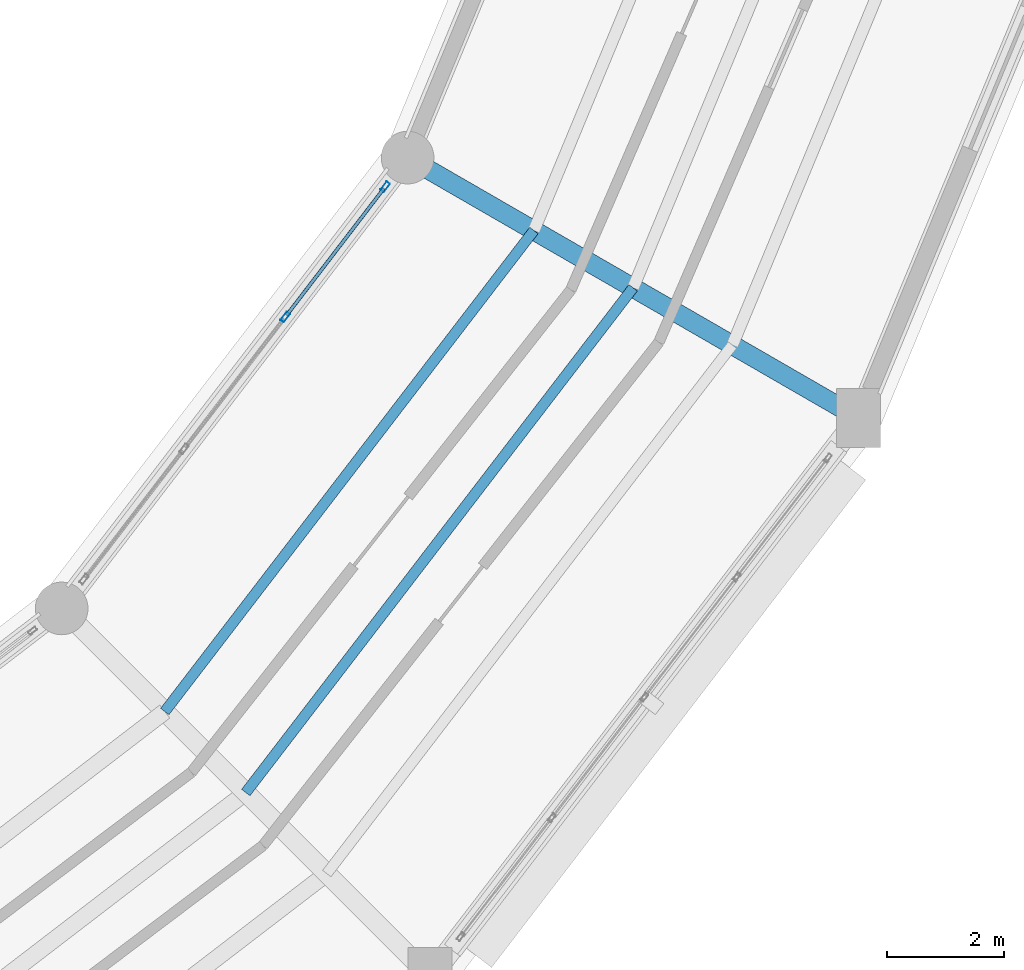
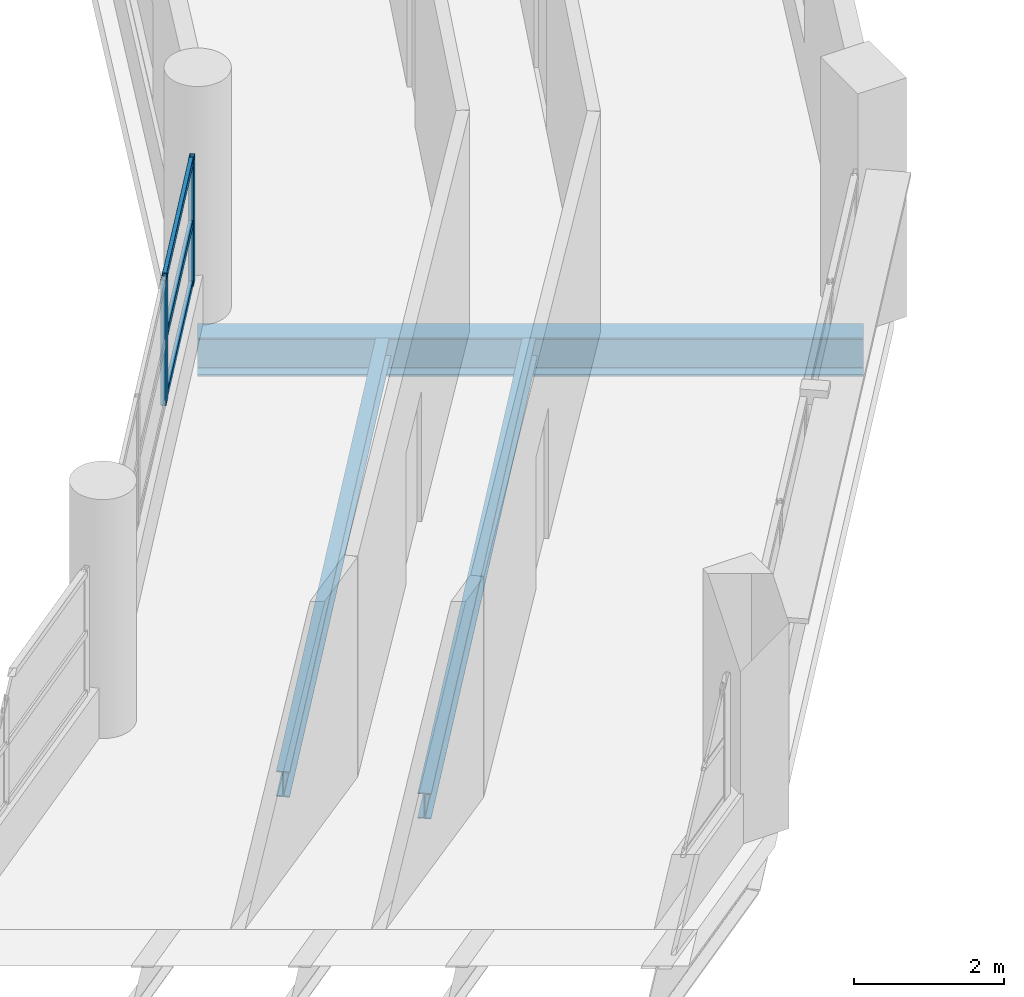
# One storey, part 51 of 108: 5 members, 3 beams, 1 element without a shape of its own.
"""IFC4 building model written with IfcOpenShell, lengths in metres."""

from ifc_helpers import new_model, si_unit, direction, frame, origin, origin_2d, place, context, subcontext, project, spatial, hollow_rectangle, i_section, extrude, material, layer, layer_set, material_profile, profile_set, type_object, element, aggregate, save


model = new_model("IFC4")

# Units and contexts
model_context = context("Model", 3, precision=1e-05, world=origin(), true_north=direction((0.0, 1.0)))
body_context = subcontext(model_context, "Body", "Model", "MODEL_VIEW")
ifc_project = project(units=[si_unit("LENGTHUNIT", "METRE"), si_unit("AREAUNIT", "SQUARE_METRE"), si_unit("VOLUMEUNIT", "CUBIC_METRE"), si_unit("PLANEANGLEUNIT", "RADIAN"), si_unit("MASSUNIT", "GRAM", prefix="KILO")], contexts=[model_context])

# Site, building, storey
site_placement = place(None, origin())
site = spatial("IfcSite", under=ifc_project, at=site_placement, CompositionType="ELEMENT")
building_placement = place(site_placement, origin())
building = spatial("IfcBuilding", under=site, at=building_placement, Name="Vespera Passage Community Centre", CompositionType="ELEMENT")
storey_placement = place(building_placement, frame((0.0, 0.0, 12.60009765625)))
storey = spatial("IfcBuildingStorey", under=building, at=storey_placement, Name="L03", CompositionType="ELEMENT", Elevation=12.60009765625)

# Beams
ifc_material_1 = material(Name="Steel ASTM A992 Grade 50", Category="steel")
ifc_material_profile_1 = material_profile(ifc_material_1, i_section(OverallWidth=0.32763671875, OverallDepth=0.62841796875, WebThickness=0.0166015625, FlangeThickness=0.027587890625, FilletRadius=0.0126953125, at=origin_2d()), Name="W24X146")
ifc_profile_set_1 = profile_set([ifc_material_profile_1], Name="Steel ASTM A992 Grade 50")
beam_type_1 = type_object("IfcBeamType", Name="BM-G-W24X146", PredefinedType="BEAM", material=ifc_profile_set_1)
beam_1_placement = place(storey_placement, frame((110.216064453125, 46.89990234375, -0.71435546875), z_axis=(0.866031643847, -0.499989191739, 0.0), x_axis=(0.499989191739, 0.866031643847, 0.0)))
element("IfcBeam", 1, at=beam_1_placement, inside=storey, type_object=beam_type_1, Name="V4 L03 Radial Girder 22", PredefinedType="BEAM", context=body_context, shape_type="SweptSolid", body=[
    extrude(i_section(OverallWidth=0.32763671875, OverallDepth=0.62841796875, WebThickness=0.0166015625, FlangeThickness=0.027587890625, FilletRadius=0.0126953125, at=origin_2d()), origin(), (0.0, 0.0, 1.0), 8.900146484375),
])
ifc_material_2 = material(Name="Steel ASTM A992 Grade 50", Category="steel")
ifc_material_profile_2 = material_profile(ifc_material_2, i_section(OverallWidth=0.180908203125, OverallDepth=0.417236328125, WebThickness=0.010986328125, FlangeThickness=0.018310546875, FilletRadius=0.01025390625, at=origin_2d()), Name="W16X57")
ifc_profile_set_2 = profile_set([ifc_material_profile_2], Name="Steel ASTM A992 Grade 50")
beam_type_2 = type_object("IfcBeamType", Name="BM-J-W16X57", PredefinedType="JOIST", material=ifc_profile_set_2)
beam_2_placement = place(storey_placement, frame((106.06640625, 37.43359375, -0.60888671875), z_axis=(0.608766367214, 0.793349551049, 0.0), x_axis=(-0.793349551049, 0.608766367214, 0.0)))
element("IfcBeam", 2, at=beam_2_placement, inside=storey, type_object=beam_type_2, Name="V4 L03 Floor Joist 21.1", PredefinedType="JOIST", context=body_context, shape_type="SweptSolid", body=[
    extrude(i_section(OverallWidth=0.180908203125, OverallDepth=0.417236328125, WebThickness=0.010986328125, FlangeThickness=0.018310546875, FilletRadius=0.01025390625, at=origin_2d()), origin(), (0.0, 0.0, 1.0), 10.36181640625),
])
beam_3_placement = place(storey_placement, frame((107.450927734375, 36.049072265625, -0.60888671875), z_axis=(0.608772775584, 0.793344633629, 0.0), x_axis=(-0.793344633629, 0.608772775584, 0.0)))
element("IfcBeam", 3, at=beam_3_placement, inside=storey, type_object=beam_type_2, Name="V4 L03 Floor Joist 21.2", PredefinedType="JOIST", context=body_context, shape_type="SweptSolid", body=[
    extrude(i_section(OverallWidth=0.180908203125, OverallDepth=0.417236328125, WebThickness=0.010986328125, FlangeThickness=0.018310546875, FilletRadius=0.01025390625, at=origin_2d()), origin(), (0.0, 0.0, 1.0), 10.873046875),
])

# Curtain wall, members
ifc_material_3 = material(Name="Anodized aluminium 6063-T6", Category="aluminium")
ifc_layer = layer(ifc_material_3, 0.159912109375)
ifc_layer_set = layer_set([ifc_layer], Name="Anodized aluminium 6063-T6")
curtain_wall_type = type_object("IfcCurtainWallType", Name="CW-38E", PredefinedType="NOTDEFINED", material=ifc_layer_set)
curtain_wall_placement = place(storey_placement, origin())
curtain_wall = element("IfcCurtainWall", 4, at=curtain_wall_placement, inside=storey, type_object=curtain_wall_type, Name="V4 L03 Inner Court Curtain Wall 21", PredefinedType="NOTDEFINED")
ifc_material_4 = material(Name="Anodized aluminium 6063-T6", Category="aluminium")
ifc_material_profile_3 = material_profile(ifc_material_4, hollow_rectangle(XDim=0.074951171875, YDim=0.179931640625, WallThickness=0.0048828125, InnerFilletRadius=0.00244140625, OuterFilletRadius=0.0048828125, at=origin_2d()), Name="ALU180X75X5")
ifc_profile_set_3 = profile_set([ifc_material_profile_3], Name="Anodized aluminium 6063-T6")
member_type_1 = type_object("IfcMemberType", Name="MB-CWM-180E", PredefinedType="MULLION", material=ifc_profile_set_3)
member_1_placement = place(storey_placement, frame((108.125244140625, 44.175048828125, 0.81982421875), z_axis=(0.0, 0.0, 1.0), x_axis=(-0.793358205999, 0.608755087843, 0.0)))
member_1 = element("IfcMember", 5, at=member_1_placement, type_object=member_type_1, Name="CW-38E mullion 3", PredefinedType="MULLION", context=body_context, shape_type="SweptSolid", body=[
    extrude(hollow_rectangle(XDim=0.074951171875, YDim=0.179931640625, WallThickness=0.0048828125, InnerFilletRadius=0.00244140625, OuterFilletRadius=0.0048828125, at=origin_2d()), origin(), (0.0, 0.0, 1.0), 2.049560546875),
])
member_2_placement = place(storey_placement, frame((109.832275390625, 46.399658203125, 0.81982421875), z_axis=(0.0, 0.0, 1.0), x_axis=(-0.793358205999, 0.608755087843, 0.0)))
member_2 = element("IfcMember", 6, at=member_2_placement, type_object=member_type_1, Name="CW-38E mullion 4", PredefinedType="MULLION", context=body_context, shape_type="SweptSolid", body=[
    extrude(hollow_rectangle(XDim=0.074951171875, YDim=0.179931640625, WallThickness=0.0048828125, InnerFilletRadius=0.00244140625, OuterFilletRadius=0.0048828125, at=origin_2d()), origin(), (0.0, 0.0, 1.0), 2.049560546875),
])
ifc_material_5 = material(Name="Anodized aluminium 6063-T6", Category="aluminium")
ifc_material_profile_4 = material_profile(ifc_material_5, hollow_rectangle(XDim=0.06005859375, YDim=0.1201171875, WallThickness=0.00390625, InnerFilletRadius=0.001953125, OuterFilletRadius=0.00390625, at=origin_2d()), Name="ALU120X60X4")
ifc_profile_set_4 = profile_set([ifc_material_profile_4], Name="Anodized aluminium 6063-T6")
member_type_2 = type_object("IfcMemberType", Name="MB-CWT-120E", PredefinedType="USERDEFINED", material=ifc_profile_set_4)
member_3_placement = place(storey_placement, frame((108.14794921875, 44.204833984375, 0.849853515625), z_axis=(0.608780813839, 0.793338465411, 0.0), x_axis=(-0.793338465411, 0.608780813839, 0.0)))
member_3 = element("IfcMember", 7, at=member_3_placement, type_object=member_type_2, Name="CW-38E transom 3.1", ObjectType="TRANSOM", PredefinedType="USERDEFINED", context=body_context, shape_type="SweptSolid", body=[
    extrude(hollow_rectangle(XDim=0.06005859375, YDim=0.1201171875, WallThickness=0.00390625, InnerFilletRadius=0.001953125, OuterFilletRadius=0.00390625, at=origin_2d()), origin(), (0.0, 0.0, 1.0), 2.72900390625),
])
member_4_placement = place(storey_placement, frame((108.14794921875, 44.204833984375, 1.844482421875), z_axis=(0.608780813839, 0.793338465411, 0.0), x_axis=(-0.793338465411, 0.608780813839, 0.0)))
member_4 = element("IfcMember", 8, at=member_4_placement, type_object=member_type_2, Name="CW-38E transom 3.2", ObjectType="TRANSOM", PredefinedType="USERDEFINED", context=body_context, shape_type="SweptSolid", body=[
    extrude(hollow_rectangle(XDim=0.06005859375, YDim=0.1201171875, WallThickness=0.00390625, InnerFilletRadius=0.001953125, OuterFilletRadius=0.00390625, at=origin_2d()), origin(), (0.0, 0.0, 1.0), 2.72900390625),
])
member_5_placement = place(storey_placement, frame((108.14794921875, 44.204833984375, 2.83935546875), z_axis=(0.608780813839, 0.793338465411, 0.0), x_axis=(-0.793338465411, 0.608780813839, 0.0)))
member_5 = element("IfcMember", 9, at=member_5_placement, type_object=member_type_2, Name="CW-38E transom 3.3", ObjectType="TRANSOM", PredefinedType="USERDEFINED", context=body_context, shape_type="SweptSolid", body=[
    extrude(hollow_rectangle(XDim=0.06005859375, YDim=0.1201171875, WallThickness=0.00390625, InnerFilletRadius=0.001953125, OuterFilletRadius=0.00390625, at=origin_2d()), origin(), (0.0, 0.0, 1.0), 2.72900390625),
])
aggregate(curtain_wall, [member_1, member_2, member_3, member_4, member_5])

save(model, "model.ifc")
